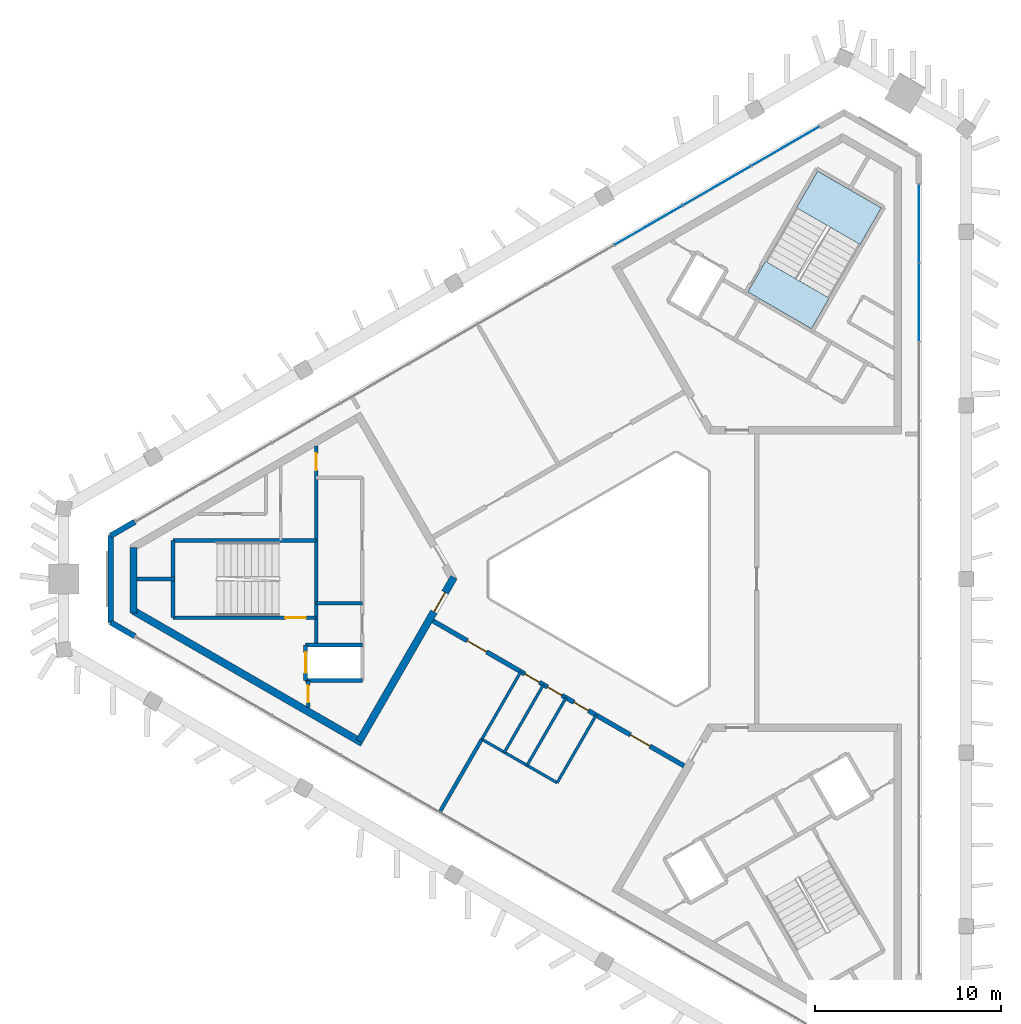
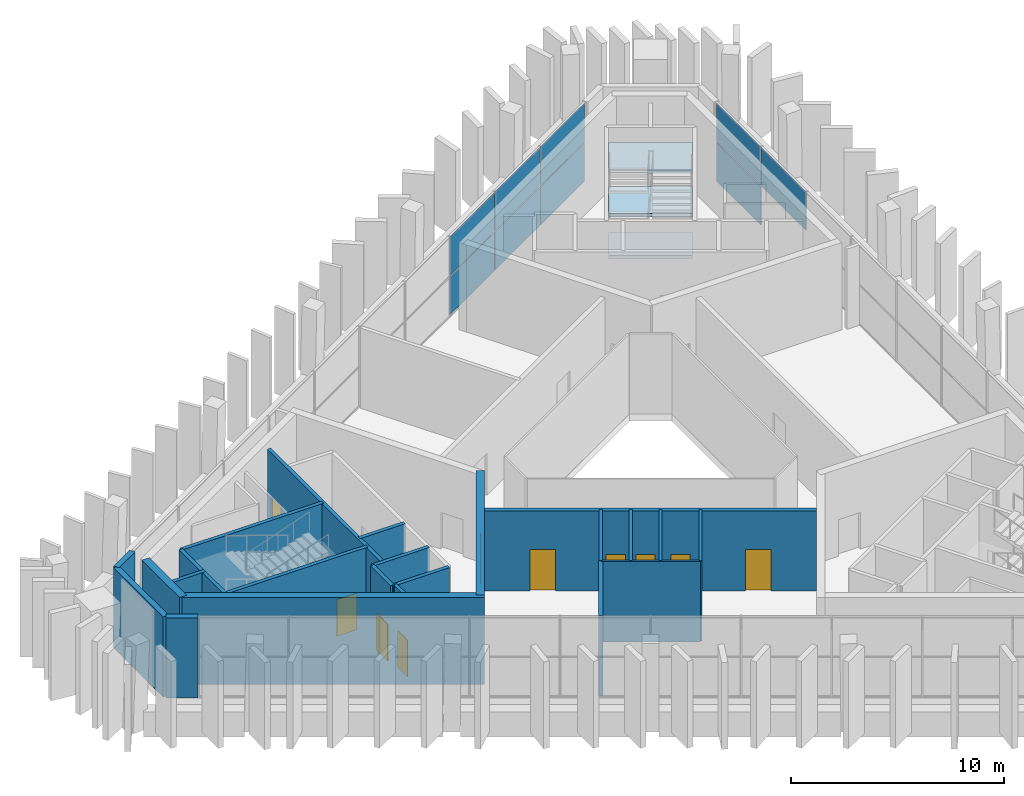
# One storey, part 8 of 13: 23 walls, 10 doors, 9 plates, 3 slabs, 10 openings, 3 elements without a shape of their own.
"""IFC4 building model written with IfcOpenShell, lengths in metres."""

from ifc_helpers import new_model, si_unit, direction, frame, frame_2d, origin, origin_2d, place, context, subcontext, project, spatial, polyline, rectangle, outline, extrude, material, layer, layer_set, type_object, element, fill, aggregate, save


model = new_model("IFC4")

# Units and contexts
model_context = context("Model", 3, precision=1e-05, world=origin(), true_north=direction((0.0, 1.0)))
body_context = subcontext(model_context, "Body", "Model", "MODEL_VIEW")
ifc_project = project(units=[si_unit("LENGTHUNIT", "METRE"), si_unit("AREAUNIT", "SQUARE_METRE"), si_unit("VOLUMEUNIT", "CUBIC_METRE"), si_unit("PLANEANGLEUNIT", "RADIAN"), si_unit("MASSUNIT", "GRAM", prefix="KILO")], contexts=[model_context])

# Site, building, storey
site_placement = place(None, origin())
site = spatial("IfcSite", under=ifc_project, at=site_placement, CompositionType="ELEMENT")
building_placement = place(site_placement, origin())
building = spatial("IfcBuilding", under=site, at=building_placement, Name="Jabali Bay Hotel Tower and Convention Centre", CompositionType="ELEMENT")
storey_placement = place(building_placement, frame((0.0, 0.0, 310.800048828125)))
storey = spatial("IfcBuildingStorey", under=building, at=storey_placement, Name="L76", CompositionType="ELEMENT", Elevation=310.800048828125)

# Curtain wall, plates
ifc_material_1 = material(Name="Aluminium and glass", Category="aluminium")
ifc_layer_1 = layer(ifc_material_1, 0.159912109375)
ifc_layer_set_1 = layer_set([ifc_layer_1], Name="Aluminium and glass")
curtain_wall_type = type_object("IfcCurtainWallType", Name="CW3 curtain wall", PredefinedType="NOTDEFINED", material=ifc_layer_set_1)
curtain_wall_1_placement = place(storey_placement, origin())
curtain_wall_1 = element("IfcCurtainWall", 1, at=curtain_wall_1_placement, inside=storey, type_object=curtain_wall_type, Name="CW3 curtain wall east face L76", PredefinedType="NOTDEFINED")
ifc_material_2 = material(Name="Glass", Category="glass")
ifc_layer_2 = layer(ifc_material_2, 0.028076171875)
ifc_layer_set_2 = layer_set([ifc_layer_2], Name="Glass")
plate_type = type_object("IfcPlateType", Name="CW3 glass panel 28", PredefinedType="CURTAIN_PANEL", material=ifc_layer_set_2)
plate_1_placement = place(storey_placement, frame((90.8310546875, 99.1220703125, 0.06005859375), z_axis=(0.0, 0.0, 1.0), x_axis=(0.0, -1.0, 0.0)))
plate_1 = element("IfcPlate", 2, at=plate_1_placement, type_object=plate_type, Name="CW3 panel 1.1", PredefinedType="CURTAIN_PANEL", context=body_context, shape_type="SweptSolid", body=[
    extrude(rectangle(XDim=4.16259765625, YDim=0.028076171875, at=origin_2d()), origin(), (0.0, 0.0, 1.0), 2.2099609375),
])
plate_2_placement = place(storey_placement, frame((90.8310546875, 99.1220703125, 2.330078125), z_axis=(0.0, 0.0, 1.0), x_axis=(0.0, -1.0, 0.0)))
plate_2 = element("IfcPlate", 3, at=plate_2_placement, type_object=plate_type, Name="CW3 panel 1.2", PredefinedType="CURTAIN_PANEL", context=body_context, shape_type="SweptSolid", body=[
    extrude(rectangle(XDim=4.16259765625, YDim=0.028076171875, at=origin_2d()), origin(), (0.0, 0.0, 1.0), 2.2099609375),
])
plate_3_placement = place(storey_placement, frame((90.8310546875, 94.884521484375, 2.330078125), z_axis=(0.0, 0.0, 1.0), x_axis=(0.0, -1.0, 0.0)))
plate_3 = element("IfcPlate", 4, at=plate_3_placement, type_object=plate_type, Name="CW3 panel 2.2", PredefinedType="CURTAIN_PANEL", context=body_context, shape_type="SweptSolid", body=[
    extrude(rectangle(XDim=4.192626953125, YDim=0.028076171875, at=origin_2d()), origin(), (0.0, 0.0, 1.0), 2.2099609375),
])
aggregate(curtain_wall_1, [plate_1, plate_2, plate_3])

curtain_wall_2_placement = place(storey_placement, origin())
curtain_wall_2 = element("IfcCurtainWall", 5, at=curtain_wall_2_placement, inside=storey, type_object=curtain_wall_type, Name="CW3 curtain wall north-west face L76", PredefinedType="NOTDEFINED")
plate_4_placement = place(storey_placement, frame((76.2919921875, 99.02587890625, 0.06005859375), z_axis=(0.0, 0.0, 1.0), x_axis=(0.866025403784, 0.5, 0.0)))
plate_4 = element("IfcPlate", 6, at=plate_4_placement, type_object=plate_type, Name="CW3 panel 8.1", PredefinedType="CURTAIN_PANEL", context=body_context, shape_type="SweptSolid", body=[
    extrude(rectangle(XDim=4.192626953125, YDim=0.028076171875, at=origin_2d()), origin(), (0.0, 0.0, 1.0), 2.2099609375),
])
plate_5_placement = place(storey_placement, frame((76.2919921875, 99.02587890625, 2.330078125), z_axis=(0.0, 0.0, 1.0), x_axis=(0.866025403784, 0.5, 0.0)))
plate_5 = element("IfcPlate", 7, at=plate_5_placement, type_object=plate_type, Name="CW3 panel 8.2", PredefinedType="CURTAIN_PANEL", context=body_context, shape_type="SweptSolid", body=[
    extrude(rectangle(XDim=4.192626953125, YDim=0.028076171875, at=origin_2d()), origin(), (0.0, 0.0, 1.0), 2.2099609375),
])
plate_6_placement = place(storey_placement, frame((79.974853515625, 101.152099609375, 0.06005859375), z_axis=(0.0, 0.0, 1.0), x_axis=(0.866025403784, 0.5, 0.0)))
plate_6 = element("IfcPlate", 8, at=plate_6_placement, type_object=plate_type, Name="CW3 panel 9.1", PredefinedType="CURTAIN_PANEL", context=body_context, shape_type="SweptSolid", body=[
    extrude(rectangle(XDim=4.192626953125, YDim=0.028076171875, at=origin_2d()), origin(), (0.0, 0.0, 1.0), 2.2099609375),
])
plate_7_placement = place(storey_placement, frame((79.974853515625, 101.152099609375, 2.330078125), z_axis=(0.0, 0.0, 1.0), x_axis=(0.866025403784, 0.5, 0.0)))
plate_7 = element("IfcPlate", 9, at=plate_7_placement, type_object=plate_type, Name="CW3 panel 9.2", PredefinedType="CURTAIN_PANEL", context=body_context, shape_type="SweptSolid", body=[
    extrude(rectangle(XDim=4.192626953125, YDim=0.028076171875, at=origin_2d()), origin(), (0.0, 0.0, 1.0), 2.2099609375),
])
plate_8_placement = place(storey_placement, frame((83.644775390625, 103.27099609375, 0.06005859375), z_axis=(0.0, 0.0, 1.0), x_axis=(0.866025403784, 0.5, 0.0)))
plate_8 = element("IfcPlate", 10, at=plate_8_placement, type_object=plate_type, Name="CW3 panel 10.1", PredefinedType="CURTAIN_PANEL", context=body_context, shape_type="SweptSolid", body=[
    extrude(rectangle(XDim=4.16259765625, YDim=0.028076171875, at=origin_2d()), origin(), (0.0, 0.0, 1.0), 2.2099609375),
])
plate_9_placement = place(storey_placement, frame((83.644775390625, 103.27099609375, 2.330078125), z_axis=(0.0, 0.0, 1.0), x_axis=(0.866025403784, 0.5, 0.0)))
plate_9 = element("IfcPlate", 11, at=plate_9_placement, type_object=plate_type, Name="CW3 panel 10.2", PredefinedType="CURTAIN_PANEL", context=body_context, shape_type="SweptSolid", body=[
    extrude(rectangle(XDim=4.16259765625, YDim=0.028076171875, at=origin_2d()), origin(), (0.0, 0.0, 1.0), 2.2099609375),
])
aggregate(curtain_wall_2, [plate_4, plate_5, plate_6, plate_7, plate_8, plate_9])

# Stair, slabs
ifc_material_3 = material(Name="Concrete C40", Category="concrete")
stair_type = type_object("IfcStairType", Name="Exit stair 1900", PredefinedType="HALF_TURN_STAIR", material=ifc_material_3)
stair_placement = place(storey_placement, origin())
stair = element("IfcStair", 12, at=stair_placement, inside=storey, type_object=stair_type, Name="L76 Exit Stair 2", PredefinedType="HALF_TURN_STAIR")
ifc_layer_3 = layer(ifc_material_3, 0.199951171875)
ifc_layer_set_3 = layer_set([ifc_layer_3], Name="Concrete C40")
slab_type = type_object("IfcSlabType", Name="Stair landing 200", PredefinedType="LANDING", material=ifc_layer_set_3)
slab_1_placement = place(storey_placement, frame((0.0, 0.0, 1.050048828125)))
slab_1 = element("IfcSlab", 13, at=slab_1_placement, type_object=slab_type, Name="ST2 landing 1", PredefinedType="LANDING", context=body_context, shape_type="SweptSolid", body=[
    extrude(outline(polyline([(87.663818359375, 97.984619140625), (88.80029296875, 99.952880859375), (85.379638671875, 101.927978515625), (84.2431640625, 99.95947265625), (87.663818359375, 97.984619140625)])), origin(), (0.0, 0.0, 1.0), 0.199951171875),
])
slab_2_placement = place(storey_placement, frame((0.0, 0.0, 2.300048828125)))
slab_2 = element("IfcSlab", 14, at=slab_2_placement, type_object=slab_type, Name="ST2 landing 2", PredefinedType="LANDING", context=body_context, shape_type="SweptSolid", body=[
    extrude(outline(polyline([(85.05029296875, 93.457763671875), (86.001953125, 95.10595703125), (82.5810546875, 97.080810546875), (81.629638671875, 95.432861328125), (85.05029296875, 93.457763671875)])), origin(), (0.0, 0.0, 1.0), 0.199951171875),
])
slab_3_placement = place(storey_placement, frame((0.0, 0.0, 3.550048828125)))
slab_3 = element("IfcSlab", 15, at=slab_3_placement, type_object=slab_type, Name="ST2 landing 3", PredefinedType="LANDING", context=body_context, shape_type="SweptSolid", body=[
    extrude(outline(polyline([(87.663818359375, 97.984619140625), (88.80029296875, 99.952880859375), (85.379638671875, 101.927978515625), (84.2431640625, 99.95947265625), (87.663818359375, 97.984619140625)])), origin(), (0.0, 0.0, 1.0), 0.199951171875),
])
aggregate(stair, [slab_1, slab_2, slab_3])

# Wall
ifc_layer_4 = layer(ifc_material_3, 0.199951171875)
ifc_layer_set_4 = layer_set([ifc_layer_4], Name="Concrete C40")
wall_type_1 = type_object("IfcWallType", Name="Core partition wall 200", PredefinedType="PARTITIONING", material=ifc_layer_set_4)
wall_1_placement = place(storey_placement, frame((50.820068359375, 80.0, 0.0), z_axis=(0.0, 0.0, 1.0), x_axis=(-1.0, 0.0, 0.0)))
element("IfcWall", 16, at=wall_1_placement, inside=storey, type_object=wall_type_1, Name="Core wall 0.3 L76", PredefinedType="PARTITIONING", context=body_context, shape_type="SweptSolid", body=[
    extrude(rectangle(XDim=2.023193359375, YDim=0.199951171875, at=frame_2d((1.01171875, 0.0))), origin(), (0.0, 0.0, 1.0), 4.599853515625),
])

# Wall, opening, door
wall_2_placement = place(storey_placement, frame((58.0, 74.550048828125, 0.0), z_axis=(0.0, 0.0, 1.0), x_axis=(0.0, -1.0, 0.0)))
wall_2 = element("IfcWall", 17, at=wall_2_placement, inside=storey, type_object=wall_type_1, Name="Core wall 0.10 L76", PredefinedType="PARTITIONING", context=body_context, shape_type="SweptSolid", body=[
    extrude(rectangle(XDim=1.455078125, YDim=0.199951171875, at=frame_2d((0.7275390625, 0.0))), origin(), (0.0, 0.0, 1.0), 4.599853515625),
])
opening_1_placement = place(wall_2_placement, frame((0.277587890625, 0.0, 0.0)))
opening_1 = element("IfcOpeningElement", 18, at=opening_1_placement, cuts=wall_2, Name="Opening D1689", PredefinedType="OPENING", context=body_context, shape_type="SweptSolid", body=[
    extrude(rectangle(XDim=0.89990234375, YDim=2.10009765625, at=frame_2d((0.449951171875, 1.050048828125))), frame((0.0, 0.1103515625, 0.0), z_axis=(0.0, -1.0, 0.0), x_axis=(1.0, 0.0, 0.0)), (0.0, 0.0, 1.0), 0.220947265625),
])
ifc_material_4 = material(Name="Fire-rated steel door", Category="steel")
door_type_1 = type_object("IfcDoorType", Name="Vestibule fire door 900 x 2100", OperationType="NOTDEFINED", PredefinedType="NOTDEFINED", material=ifc_material_4)
door_1_placement = place(opening_1_placement, origin())
door_1 = element("IfcDoor", 19, at=door_1_placement, inside=storey, type_object=door_type_1, Name="Vestibule fire door D1689", OperationType="SINGLE_SWING_LEFT", OverallHeight=2.10009765625, OverallWidth=0.89990234375, PredefinedType="NOTDEFINED", context=body_context, shape_type="SweptSolid", body=[
    extrude(rectangle(XDim=0.89990234375, YDim=2.10009765625, at=frame_2d((0.449951171875, 1.050048828125))), frame((0.0, 0.02490234375, 0.0), z_axis=(0.0, -1.0, 0.0), x_axis=(1.0, 0.0, 0.0)), (0.0, 0.0, 1.0), 0.050048828125),
])
fill(opening_1, door_1)

# Walls
ifc_layer_5 = layer(ifc_material_3, 0.199951171875)
ifc_layer_set_5 = layer_set([ifc_layer_5], Name="Concrete C40")
wall_type_2 = type_object("IfcWallType", Name="Core stair wall 200", PredefinedType="SOLIDWALL", material=ifc_layer_set_5)
wall_3_placement = place(storey_placement, frame((58.419921875, 82.074951171875, 0.0), z_axis=(0.0, 0.0, 1.0), x_axis=(-1.0, 0.0, 0.0)))
element("IfcWall", 20, at=wall_3_placement, inside=storey, type_object=wall_type_2, Name="Core wall 0.2 L76", PredefinedType="SOLIDWALL", context=body_context, shape_type="SweptSolid", body=[
    extrude(rectangle(XDim=7.699951171875, YDim=0.199951171875, at=frame_2d((3.85009765625, 0.0))), origin(), (0.0, 0.0, 1.0), 4.599853515625),
])
wall_4_placement = place(storey_placement, frame((60.89990234375, 78.699951171875, 0.0), z_axis=(0.0, 0.0, 1.0), x_axis=(-1.0, 0.0, 0.0)))
element("IfcWall", 21, at=wall_4_placement, inside=storey, type_object=wall_type_2, Name="Core wall 0.4 L76", PredefinedType="SOLIDWALL", context=body_context, shape_type="SweptSolid", body=[
    extrude(rectangle(XDim=2.47998046875, YDim=0.199951171875, at=frame_2d((1.239990234375, 0.0))), origin(), (0.0, 0.0, 1.0), 4.599853515625),
])

# Wall, opening, door
wall_5_placement = place(storey_placement, frame((58.419921875, 77.925048828125, 0.0), z_axis=(0.0, 0.0, 1.0), x_axis=(-1.0, 0.0, 0.0)))
wall_5 = element("IfcWall", 22, at=wall_5_placement, inside=storey, type_object=wall_type_2, Name="Core wall 0.5 L76", PredefinedType="SOLIDWALL", context=body_context, shape_type="SweptSolid", body=[
    extrude(rectangle(XDim=7.699951171875, YDim=0.199951171875, at=frame_2d((3.85009765625, 0.0))), origin(), (0.0, 0.0, 1.0), 4.599853515625),
])
opening_2_placement = place(wall_5_placement, frame((0.550048828125, 0.0, 0.0)))
opening_2 = element("IfcOpeningElement", 23, at=opening_2_placement, cuts=wall_5, Name="Opening D1691", PredefinedType="OPENING", context=body_context, shape_type="SweptSolid", body=[
    extrude(rectangle(XDim=1.10009765625, YDim=2.10009765625, at=frame_2d((0.550048828125, 1.050048828125))), frame((0.0, 0.1103515625, 0.0), z_axis=(0.0, -1.0, 0.0), x_axis=(1.0, 0.0, 0.0)), (0.0, 0.0, 1.0), 0.220947265625),
])
door_type_2 = type_object("IfcDoorType", Name="Stair fire door 1100 x 2100", OperationType="NOTDEFINED", PredefinedType="NOTDEFINED", material=ifc_material_4)
door_2_placement = place(opening_2_placement, origin())
door_2 = element("IfcDoor", 24, at=door_2_placement, inside=storey, type_object=door_type_2, Name="Stair fire door D1691", OperationType="SINGLE_SWING_RIGHT", OverallHeight=2.10009765625, OverallWidth=1.10009765625, PredefinedType="NOTDEFINED", context=body_context, shape_type="SweptSolid", body=[
    extrude(rectangle(XDim=1.10009765625, YDim=2.10009765625, at=frame_2d((0.550048828125, 1.050048828125))), frame((0.0, 0.02490234375, 0.0), z_axis=(0.0, -1.0, 0.0), x_axis=(1.0, 0.0, 0.0)), (0.0, 0.0, 1.0), 0.050048828125),
])
fill(opening_2, door_2)

# Walls
for number, where, z_axis, x_axis, name in (
    (25, (60.89990234375, 76.449951171875, 0.0), (0.0, 0.0, 1.0), (-1.0, 0.0, 0.0), "Core wall 0.6 L76"),
    (26, (60.89990234375, 74.550048828125, 0.0), (0.0, 0.0, 1.0), (-1.0, 0.0, 0.0), "Core wall 0.7 L76"),
):
    element("IfcWall", number, at=place(storey_placement, frame(where, z_axis=z_axis, x_axis=x_axis)), inside=storey, type_object=wall_type_2, Name=name, PredefinedType="SOLIDWALL", context=body_context, shape_type="SweptSolid", body=[
        extrude(rectangle(XDim=3.0498046875, YDim=0.199951171875, at=frame_2d((1.52490234375, 0.0))), origin(), (0.0, 0.0, 1.0), 4.599853515625),
    ])

# Wall, opening, door
wall_6_placement = place(storey_placement, frame((58.419921875, 87.147705078125, 0.0), z_axis=(0.0, 0.0, 1.0), x_axis=(0.0, -1.0, 0.0)))
wall_6 = element("IfcWall", 27, at=wall_6_placement, inside=storey, type_object=wall_type_2, Name="Core wall 0.9 L76", PredefinedType="SOLIDWALL", context=body_context, shape_type="SweptSolid", body=[
    extrude(rectangle(XDim=10.69775390625, YDim=0.199951171875, at=frame_2d((5.348876953125, 0.0))), origin(), (0.0, 0.0, 1.0), 4.599853515625),
])
opening_3_placement = place(wall_6_placement, frame((0.398681640625, 0.0, 0.0)))
opening_3 = element("IfcOpeningElement", 28, at=opening_3_placement, cuts=wall_6, Name="Opening D1690", PredefinedType="OPENING", context=body_context, shape_type="SweptSolid", body=[
    extrude(rectangle(XDim=0.89990234375, YDim=2.10009765625, at=frame_2d((0.449951171875, 1.050048828125))), frame((0.0, 0.1103515625, 0.0), z_axis=(0.0, -1.0, 0.0), x_axis=(1.0, 0.0, 0.0)), (0.0, 0.0, 1.0), 0.220947265625),
])
door_3_placement = place(opening_3_placement, origin())
door_3 = element("IfcDoor", 29, at=door_3_placement, inside=storey, type_object=door_type_1, Name="Vestibule fire door D1690", OperationType="SINGLE_SWING_LEFT", OverallHeight=2.10009765625, OverallWidth=0.89990234375, PredefinedType="NOTDEFINED", context=body_context, shape_type="SweptSolid", body=[
    extrude(rectangle(XDim=0.89990234375, YDim=2.10009765625, at=frame_2d((0.449951171875, 1.050048828125))), frame((0.0, 0.02490234375, 0.0), z_axis=(0.0, -1.0, 0.0), x_axis=(1.0, 0.0, 0.0)), (0.0, 0.0, 1.0), 0.050048828125),
])
fill(opening_3, door_3)

wall_7_placement = place(storey_placement, frame((57.85009765625, 76.449951171875, 0.0), z_axis=(0.0, 0.0, 1.0), x_axis=(0.0, -1.0, 0.0)))
wall_7 = element("IfcWall", 30, at=wall_7_placement, inside=storey, type_object=wall_type_2, Name="Core wall 0.11 L76", PredefinedType="SOLIDWALL", context=body_context, shape_type="SweptSolid", body=[
    extrude(rectangle(XDim=1.89990234375, YDim=0.199951171875, at=frame_2d((0.949951171875, 0.0))), origin(), (0.0, 0.0, 1.0), 4.599853515625),
])
opening_4_placement = place(wall_7_placement, frame((0.39990234375, 0.0, 0.0)))
opening_4 = element("IfcOpeningElement", 31, at=opening_4_placement, cuts=wall_7, Name="Opening LD5-L76", PredefinedType="OPENING", context=body_context, shape_type="SweptSolid", body=[
    extrude(rectangle(XDim=1.10009765625, YDim=2.10009765625, at=frame_2d((0.550048828125, 1.050048828125))), frame((0.0, 0.1103515625, 0.0), z_axis=(0.0, -1.0, 0.0), x_axis=(1.0, 0.0, 0.0)), (0.0, 0.0, 1.0), 0.220947265625),
])
ifc_material_5 = material(Name="Stainless steel landing door", Category="steel")
door_type_3 = type_object("IfcDoorType", Name="Landing door 1100 x 2100", OperationType="NOTDEFINED", PredefinedType="NOTDEFINED", material=ifc_material_5)
door_4_placement = place(opening_4_placement, origin())
door_4 = element("IfcDoor", 32, at=door_4_placement, inside=storey, type_object=door_type_3, Name="Landing doors LD5-L76", OperationType="SLIDING_TO_RIGHT", OverallHeight=2.10009765625, OverallWidth=1.10009765625, PredefinedType="NOTDEFINED", context=body_context, shape_type="SweptSolid", body=[
    extrude(rectangle(XDim=1.10009765625, YDim=2.10009765625, at=frame_2d((0.550048828125, 1.050048828125))), frame((0.0, 0.02490234375, 0.0), z_axis=(0.0, -1.0, 0.0), x_axis=(1.0, 0.0, 0.0)), (0.0, 0.0, 1.0), 0.050048828125),
])
fill(opening_4, door_4)

# Walls
wall_8_placement = place(storey_placement, frame((50.719970703125, 82.074951171875, 0.0), z_axis=(0.0, 0.0, 1.0), x_axis=(0.0, -1.0, 0.0)))
element("IfcWall", 33, at=wall_8_placement, inside=storey, type_object=wall_type_2, Name="Core wall 0.14 L76", PredefinedType="SOLIDWALL", context=body_context, shape_type="SweptSolid", body=[
    extrude(rectangle(XDim=4.14990234375, YDim=0.199951171875, at=frame_2d((2.074951171875, 0.0))), origin(), (0.0, 0.0, 1.0), 4.599853515625),
])
ifc_material_6 = material(Name="Concrete C60", Category="concrete")
ifc_layer_6 = layer(ifc_material_6, 0.39990234375)
ifc_layer_set_6 = layer_set([ifc_layer_6], Name="Concrete C60")
wall_type_3 = type_object("IfcWallType", Name="Core wall 400", PredefinedType="SHEAR", material=ifc_layer_set_6)
wall_9_placement = place(storey_placement, frame((48.596923828125, 81.707275390625, 0.0), z_axis=(0.0, 0.0, 1.0), x_axis=(0.0, -1.0, 0.0)))
element("IfcWall", 34, at=wall_9_placement, inside=storey, type_object=wall_type_3, Name="Core wall 1.3 L76", PredefinedType="SHEAR", context=body_context, shape_type="SweptSolid", body=[
    extrude(rectangle(XDim=3.530029296875, YDim=0.39990234375, at=frame_2d((1.76513671875, 0.0))), origin(), (0.0, 0.0, 1.0), 5.0),
])
wall_10_placement = place(storey_placement, frame((48.596923828125, 78.292724609375, 0.0), z_axis=(0.0, 0.0, 1.0), x_axis=(0.866026024469, -0.499998924941, 0.0)))
element("IfcWall", 35, at=wall_10_placement, inside=storey, type_object=wall_type_3, Name="Core wall 1.4 L76", PredefinedType="SHEAR", context=body_context, shape_type="SweptSolid", body=[
    extrude(rectangle(XDim=14.2177734375, YDim=0.39990234375, at=frame_2d((7.10888671875, 0.0))), origin(), (0.0, 0.0, 1.0), 5.0),
])

# Wall, opening, door
wall_11_placement = place(storey_placement, frame((60.73681640625, 71.283935546875, 0.0), z_axis=(0.0, 0.0, 1.0), x_axis=(0.50000547566, 0.866022242388, 0.0)))
wall_11 = element("IfcWall", 36, at=wall_11_placement, inside=storey, type_object=wall_type_3, Name="Core wall 1.5 L76", PredefinedType="SHEAR", context=body_context, shape_type="SweptSolid", body=[
    extrude(rectangle(XDim=10.18017578125, YDim=0.39990234375, at=frame_2d((5.090087890625, 0.0))), origin(), (0.0, 0.0, 1.0), 5.0),
])
opening_5_placement = place(wall_11_placement, frame((8.030029296875, 0.0, 0.0)))
opening_5 = element("IfcOpeningElement", 37, at=opening_5_placement, cuts=wall_11, Name="Opening D1685", PredefinedType="OPENING", context=body_context, shape_type="SweptSolid", body=[
    extrude(rectangle(XDim=1.199951171875, YDim=2.10009765625, at=frame_2d((0.60009765625, 1.050048828125))), frame((0.0, 0.21044921875, 0.0), z_axis=(0.0, -1.0, 0.0), x_axis=(1.0, 0.0, 0.0)), (0.0, 0.0, 1.0), 0.4208984375),
])
door_type_4 = type_object("IfcDoorType", Name="Corridor end fire door 1200 x 2100", OperationType="NOTDEFINED", PredefinedType="NOTDEFINED", material=ifc_material_4)
door_5_placement = place(opening_5_placement, origin())
door_5 = element("IfcDoor", 38, at=door_5_placement, inside=storey, type_object=door_type_4, Name="Corridor end fire door D1685", OperationType="SINGLE_SWING_LEFT", OverallHeight=2.10009765625, OverallWidth=1.199951171875, PredefinedType="NOTDEFINED", context=body_context, shape_type="SweptSolid", body=[
    extrude(rectangle(XDim=1.199951171875, YDim=2.10009765625, at=frame_2d((0.60009765625, 1.050048828125))), frame((0.0, 0.02490234375, 0.0), z_axis=(0.0, -1.0, 0.0), x_axis=(1.0, 0.0, 0.0)), (0.0, 0.0, 1.0), 0.050048828125),
])
fill(opening_5, door_5)

# Wall, openings, doors
ifc_layer_7 = layer(ifc_material_6, 0.25)
ifc_layer_set_7 = layer_set([ifc_layer_7], Name="Concrete C60")
wall_type_4 = type_object("IfcWallType", Name="Corridor wall 250", PredefinedType="SHEAR", material=ifc_layer_set_7)
wall_12_placement = place(storey_placement, frame((64.699951171875, 77.748291015625, 0.0), z_axis=(0.0, 0.0, 1.0), x_axis=(0.866026492143, -0.499998114903, 0.0)))
wall_12 = element("IfcWall", 39, at=wall_12_placement, inside=storey, type_object=wall_type_4, Name="Corridor wall 3 L76", PredefinedType="SHEAR", context=body_context, shape_type="SweptSolid", body=[
    extrude(rectangle(XDim=15.58837890625, YDim=0.25, at=frame_2d((7.794189453125, 0.0))), origin(), (0.0, 0.0, 1.0), 4.599853515625),
])
opening_6_placement = place(wall_12_placement, frame((2.1279296875, 0.0, 0.0)))
opening_6 = element("IfcOpeningElement", 40, at=opening_6_placement, cuts=wall_12, Name="Opening 7604", PredefinedType="OPENING", context=body_context, shape_type="SweptSolid", body=[
    extrude(rectangle(XDim=1.199951171875, YDim=2.39990234375, at=frame_2d((0.60009765625, 1.199951171875))), frame((0.0, 0.135498046875, 0.0), z_axis=(0.0, -1.0, 0.0), x_axis=(1.0, 0.0, 0.0)), (0.0, 0.0, 1.0), 0.27099609375),
])
opening_7_placement = place(wall_12_placement, frame((5.70751953125, 0.0, 0.0)))
opening_7 = element("IfcOpeningElement", 41, at=opening_7_placement, cuts=wall_12, Name="Opening 7605", PredefinedType="OPENING", context=body_context, shape_type="SweptSolid", body=[
    extrude(rectangle(XDim=0.89990234375, YDim=2.10009765625, at=frame_2d((0.449951171875, 1.050048828125))), frame((0.0, 0.135498046875, 0.0), z_axis=(0.0, -1.0, 0.0), x_axis=(1.0, 0.0, 0.0)), (0.0, 0.0, 1.0), 0.27099609375),
])
opening_8_placement = place(wall_12_placement, frame((7.1103515625, 0.0, 0.0)))
opening_8 = element("IfcOpeningElement", 42, at=opening_8_placement, cuts=wall_12, Name="Opening 7606", PredefinedType="OPENING", context=body_context, shape_type="SweptSolid", body=[
    extrude(rectangle(XDim=0.89990234375, YDim=2.10009765625, at=frame_2d((0.449951171875, 1.050048828125))), frame((0.0, 0.135498046875, 0.0), z_axis=(0.0, -1.0, 0.0), x_axis=(1.0, 0.0, 0.0)), (0.0, 0.0, 1.0), 0.27099609375),
])
opening_9_placement = place(wall_12_placement, frame((8.747314453125, 0.0, 0.0)))
opening_9 = element("IfcOpeningElement", 43, at=opening_9_placement, cuts=wall_12, Name="Opening 7607", PredefinedType="OPENING", context=body_context, shape_type="SweptSolid", body=[
    extrude(rectangle(XDim=0.89990234375, YDim=2.10009765625, at=frame_2d((0.449951171875, 1.050048828125))), frame((0.0, 0.135498046875, 0.0), z_axis=(0.0, -1.0, 0.0), x_axis=(1.0, 0.0, 0.0)), (0.0, 0.0, 1.0), 0.27099609375),
])
opening_10_placement = place(wall_12_placement, frame((12.260498046875, 0.0, 0.0)))
opening_10 = element("IfcOpeningElement", 44, at=opening_10_placement, cuts=wall_12, Name="Opening 7608", PredefinedType="OPENING", context=body_context, shape_type="SweptSolid", body=[
    extrude(rectangle(XDim=1.199951171875, YDim=2.39990234375, at=frame_2d((0.60009765625, 1.199951171875))), frame((0.0, 0.135498046875, 0.0), z_axis=(0.0, -1.0, 0.0), x_axis=(1.0, 0.0, 0.0)), (0.0, 0.0, 1.0), 0.27099609375),
])
ifc_material_7 = material(Name="Timber", Category="wood")
door_type_5 = type_object("IfcDoorType", Name="Accessible en-suite door 900 x 2100", OperationType="NOTDEFINED", PredefinedType="NOTDEFINED", material=ifc_material_7)
door_6_placement = place(opening_9_placement, origin())
door_6 = element("IfcDoor", 45, at=door_6_placement, inside=storey, type_object=door_type_5, Name="Door 7607", OperationType="SINGLE_SWING_RIGHT", OverallHeight=2.10009765625, OverallWidth=0.89990234375, PredefinedType="NOTDEFINED", context=body_context, shape_type="SweptSolid", body=[
    extrude(rectangle(XDim=0.89990234375, YDim=2.10009765625, at=frame_2d((0.449951171875, 1.050048828125))), frame((0.0, 0.02490234375, 0.0), z_axis=(0.0, -1.0, 0.0), x_axis=(1.0, 0.0, 0.0)), (0.0, 0.0, 1.0), 0.050048828125),
])
fill(opening_9, door_6)
door_type_6 = type_object("IfcDoorType", Name="Internal door 900 x 2100", OperationType="NOTDEFINED", PredefinedType="NOTDEFINED", material=ifc_material_7)
door_7_placement = place(opening_7_placement, origin())
door_7 = element("IfcDoor", 46, at=door_7_placement, inside=storey, type_object=door_type_6, Name="Door 7605", OperationType="SINGLE_SWING_LEFT", OverallHeight=2.10009765625, OverallWidth=0.89990234375, PredefinedType="NOTDEFINED", context=body_context, shape_type="SweptSolid", body=[
    extrude(rectangle(XDim=0.89990234375, YDim=2.10009765625, at=frame_2d((0.449951171875, 1.050048828125))), frame((0.0, 0.02490234375, 0.0), z_axis=(0.0, -1.0, 0.0), x_axis=(1.0, 0.0, 0.0)), (0.0, 0.0, 1.0), 0.050048828125),
])
fill(opening_7, door_7)
door_8_placement = place(opening_8_placement, origin())
door_8 = element("IfcDoor", 47, at=door_8_placement, inside=storey, type_object=door_type_6, Name="Door 7606", OperationType="SINGLE_SWING_LEFT", OverallHeight=2.10009765625, OverallWidth=0.89990234375, PredefinedType="NOTDEFINED", context=body_context, shape_type="SweptSolid", body=[
    extrude(rectangle(XDim=0.89990234375, YDim=2.10009765625, at=frame_2d((0.449951171875, 1.050048828125))), frame((0.0, 0.02490234375, 0.0), z_axis=(0.0, -1.0, 0.0), x_axis=(1.0, 0.0, 0.0)), (0.0, 0.0, 1.0), 0.050048828125),
])
fill(opening_8, door_8)
door_type_7 = type_object("IfcDoorType", Name="Public room door 1200 x 2400", OperationType="NOTDEFINED", PredefinedType="NOTDEFINED", material=ifc_material_7)
door_9_placement = place(opening_6_placement, origin())
door_9 = element("IfcDoor", 48, at=door_9_placement, inside=storey, type_object=door_type_7, Name="Door 7604", OperationType="SINGLE_SWING_LEFT", OverallHeight=2.39990234375, OverallWidth=1.199951171875, PredefinedType="NOTDEFINED", context=body_context, shape_type="SweptSolid", body=[
    extrude(rectangle(XDim=1.199951171875, YDim=2.39990234375, at=frame_2d((0.60009765625, 1.199951171875))), frame((0.0, 0.02490234375, 0.0), z_axis=(0.0, -1.0, 0.0), x_axis=(1.0, 0.0, 0.0)), (0.0, 0.0, 1.0), 0.050048828125),
])
fill(opening_6, door_9)
door_10_placement = place(opening_10_placement, origin())
door_10 = element("IfcDoor", 49, at=door_10_placement, inside=storey, type_object=door_type_7, Name="Door 7608", OperationType="SINGLE_SWING_RIGHT", OverallHeight=2.39990234375, OverallWidth=1.199951171875, PredefinedType="NOTDEFINED", context=body_context, shape_type="SweptSolid", body=[
    extrude(rectangle(XDim=1.199951171875, YDim=2.39990234375, at=frame_2d((0.60009765625, 1.199951171875))), frame((0.0, 0.02490234375, 0.0), z_axis=(0.0, -1.0, 0.0), x_axis=(1.0, 0.0, 0.0)), (0.0, 0.0, 1.0), 0.050048828125),
])
fill(opening_10, door_10)

# Walls
ifc_layer_8 = layer(ifc_material_3, 0.300048828125)
ifc_layer_set_8 = layer_set([ifc_layer_8], Name="Concrete C40")
wall_type_5 = type_object("IfcWallType", Name="External wall 300", PredefinedType="SOLIDWALL", material=ifc_layer_set_8)
wall_13_placement = place(storey_placement, frame((47.370849609375, 77.671630859375, 0.0), z_axis=(0.0, 0.0, 1.0), x_axis=(0.0, 1.0, 0.0)))
element("IfcWall", 50, at=wall_13_placement, inside=storey, type_object=wall_type_5, Name="External wall west chamfer L76", PredefinedType="SOLIDWALL", context=body_context, shape_type="SweptSolid", body=[
    extrude(rectangle(XDim=4.65673828125, YDim=0.300048828125, at=frame_2d((2.328369140625, 0.0))), origin(), (0.0, 0.0, 1.0), 4.599853515625),
])
for number, where, z_axis, x_axis, name in (
    (51, (47.370849609375, 82.328369140625, 0.0), (0.0, 0.0, 1.0), (0.866031096941, 0.499990139034, 0.0), "External wall north-west face L76"),
    (52, (48.669921875, 76.921630859375, 0.0), (0.0, 0.0, 1.0), (-0.866031096941, 0.499990139034, 0.0), "External wall south-west face L76"),
):
    element("IfcWall", number, at=place(storey_placement, frame(where, z_axis=z_axis, x_axis=x_axis)), inside=storey, type_object=wall_type_5, Name=name, PredefinedType="SOLIDWALL", context=body_context, shape_type="SweptSolid", body=[
        extrude(rectangle(XDim=1.5, YDim=0.300048828125, at=frame_2d((0.75, 0.0))), origin(), (0.0, 0.0, 1.0), 4.599853515625),
    ])
ifc_material_8 = material(Name="Plasterboard on steel stud", Category="steel")
ifc_layer_9 = layer(ifc_material_8, 0.14990234375)
ifc_layer_set_9 = layer_set([ifc_layer_9], Name="Plasterboard on steel stud")
wall_type_6 = type_object("IfcWallType", Name="Partition 150 wet", PredefinedType="PARTITIONING", material=ifc_layer_set_9)
for number, where, z_axis, x_axis, name in (
    (53, (67.324951171875, 71.383056640625, 0.0), (0.0, 0.0, 1.0), (0.500027713859, 0.866009402589, 0.0), "Partition P03 L76 005"),
    (54, (68.5400390625, 70.681640625, 0.0), (0.0, 0.0, 1.0), (0.49998411664, 0.866034573852, 0.0), "Partition P03 L76 007"),
):
    element("IfcWall", number, at=place(storey_placement, frame(where, z_axis=z_axis, x_axis=x_axis)), inside=storey, type_object=wall_type_6, Name=name, PredefinedType="PARTITIONING", context=body_context, shape_type="SweptSolid", body=[
        extrude(rectangle(XDim=4.199951171875, YDim=0.14990234375, at=frame_2d((2.10009765625, 0.0))), origin(), (0.0, 0.0, 1.0), 4.599853515625),
    ])
wall_14_placement = place(storey_placement, frame((69.7548828125, 69.97998046875, 0.0), z_axis=(0.0, 0.0, 1.0), x_axis=(0.500002543286, 0.866023935413, 0.0)))
element("IfcWall", 55, at=wall_14_placement, inside=storey, type_object=wall_type_6, Name="Partition P03 L76 008", PredefinedType="PARTITIONING", context=body_context, shape_type="SweptSolid", body=[
    extrude(rectangle(XDim=4.2001953125, YDim=0.14990234375, at=frame_2d((2.10009765625, 0.0))), origin(), (0.0, 0.0, 1.0), 4.599853515625),
])
wall_15_placement = place(storey_placement, frame((67.325439453125, 71.384033203125, 0.0), z_axis=(0.0, 0.0, 1.0), x_axis=(0.866017799667, -0.500013170487, 0.0)))
element("IfcWall", 56, at=wall_15_placement, inside=storey, type_object=wall_type_6, Name="Partition P03 L76 009", PredefinedType="PARTITIONING", context=body_context, shape_type="SweptSolid", body=[
    extrude(rectangle(XDim=4.676513671875, YDim=0.14990234375, at=frame_2d((2.33837890625, 0.0))), origin(), (0.0, 0.0, 1.0), 4.599853515625),
])
wall_16_placement = place(storey_placement, frame((71.37548828125, 69.045654296875, 0.0), z_axis=(0.0, 0.0, 1.0), x_axis=(0.500016035621, 0.866016145416, 0.0)))
element("IfcWall", 57, at=wall_16_placement, inside=storey, type_object=wall_type_6, Name="Partition P03 L76 010", PredefinedType="PARTITIONING", context=body_context, shape_type="SweptSolid", body=[
    extrude(rectangle(XDim=4.198974609375, YDim=0.14990234375, at=frame_2d((2.099609375, 0.0))), origin(), (0.0, 0.0, 1.0), 4.599853515625),
])
ifc_layer_10 = layer(ifc_material_8, 0.199951171875)
ifc_layer_set_10 = layer_set([ifc_layer_10], Name="Plasterboard on steel stud")
wall_type_7 = type_object("IfcWallType", Name="Partition 200 party", PredefinedType="PARTITIONING", material=ifc_layer_set_10)
wall_17_placement = place(storey_placement, frame((65.085693359375, 67.50634765625, 0.0), z_axis=(0.0, 0.0, 1.0), x_axis=(0.500004105233, 0.866023033614, 0.0)))
element("IfcWall", 58, at=wall_17_placement, inside=storey, type_object=wall_type_7, Name="Partition P01 L76 006", PredefinedType="PARTITIONING", context=body_context, shape_type="SweptSolid", body=[
    extrude(rectangle(XDim=4.47705078125, YDim=0.199951171875, at=frame_2d((2.238525390625, 0.0))), origin(), (0.0, 0.0, 1.0), 4.599853515625),
])

save(model, "model.ifc")
